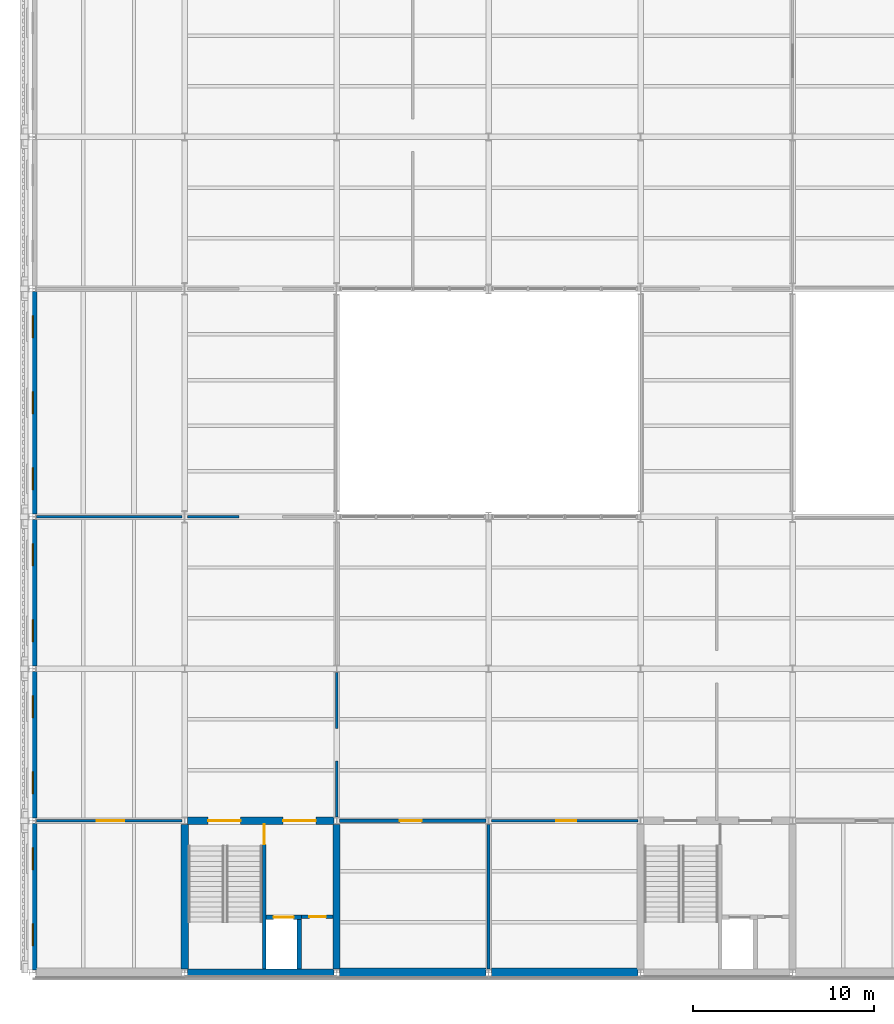
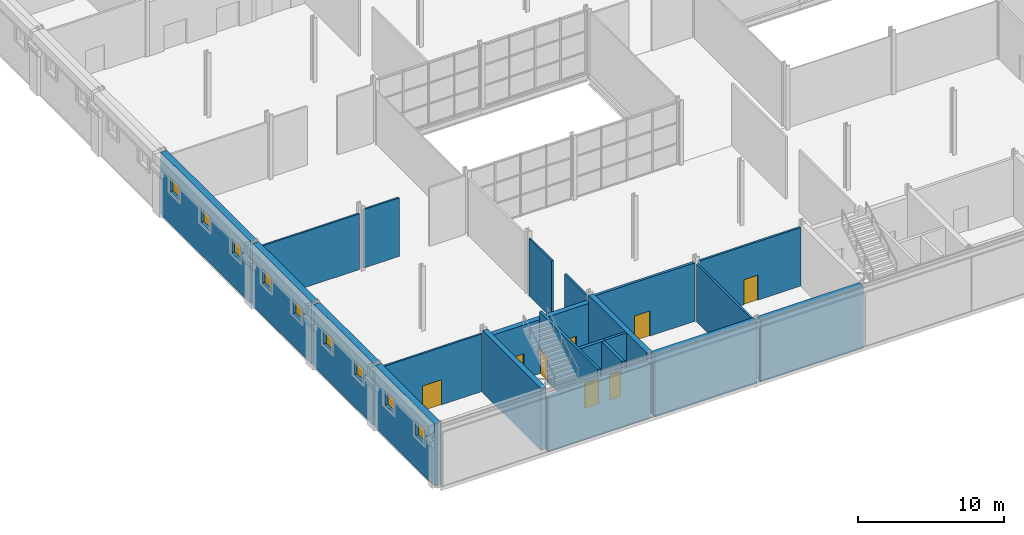
# One storey, part 28 of 57: 22 walls, 9 windows, 8 doors, 17 openings.
"""IFC4 building model written with IfcOpenShell, lengths in metres."""

from ifc_helpers import new_model, si_unit, direction, frame, frame_2d, origin, place, context, subcontext, project, spatial, rectangle, extrude, material, layer, layer_set, type_object, element, fill, save


model = new_model("IFC4")

# Units and contexts
model_context = context("Model", 3, precision=1e-05, world=origin(), true_north=direction((0.0, 1.0)))
body_context = subcontext(model_context, "Body", "Model", "MODEL_VIEW")
ifc_project = project(units=[si_unit("LENGTHUNIT", "METRE"), si_unit("AREAUNIT", "SQUARE_METRE"), si_unit("VOLUMEUNIT", "CUBIC_METRE"), si_unit("PLANEANGLEUNIT", "RADIAN"), si_unit("MASSUNIT", "GRAM", prefix="KILO")], contexts=[model_context])

# Site, building, storey
site_placement = place(None, origin())
site = spatial("IfcSite", under=ifc_project, at=site_placement, CompositionType="ELEMENT")
building_placement = place(site_placement, origin())
building = spatial("IfcBuilding", under=site, at=building_placement, Name="Galleria Vessillo Department Store", CompositionType="ELEMENT")
storey_placement = place(building_placement, frame((0.0, 0.0, 25.800048828125)))
storey = spatial("IfcBuildingStorey", under=building, at=storey_placement, Name="L05", CompositionType="ELEMENT", Elevation=25.800048828125)

# Wall
ifc_material_1 = material(Name="Insulated steel panel", Category="steel")
ifc_layer_1 = layer(ifc_material_1, 0.159912109375)
ifc_layer_set_1 = layer_set([ifc_layer_1], Name="Insulated steel panel")
wall_type_1 = type_object("IfcWallType", Name="Cold store insulated panel wall 160 mm", PredefinedType="PARTITIONING", material=ifc_layer_set_1)
wall_1_placement = place(storey_placement, frame((25.199951171875, 0.199951171875, 0.0), z_axis=(0.0, 0.0, 1.0), x_axis=(0.0, 1.0, 0.0)))
element("IfcWall", 1, at=wall_1_placement, inside=storey, type_object=wall_type_1, Name="Partition wall PT5 on L05 no. 013", PredefinedType="PARTITIONING", context=body_context, shape_type="SweptSolid", body=[
    extrude(rectangle(XDim=8.0, YDim=0.159912109375, at=frame_2d((4.0, 0.0))), origin(), (0.0, 0.0, 1.0), 4.809814453125),
])

# Wall, opening, door
wall_2_placement = place(storey_placement, frame((25.349853515625, 8.39990234375, 0.0), z_axis=(0.0, 0.0, 1.0), x_axis=(1.0, 0.0, 0.0)))
wall_2 = element("IfcWall", 2, at=wall_2_placement, inside=storey, type_object=wall_type_1, Name="Partition wall PT5 on L05 no. 015", PredefinedType="PARTITIONING", context=body_context, shape_type="SweptSolid", body=[
    extrude(rectangle(XDim=8.100341796875, YDim=0.159912109375, at=frame_2d((4.05029296875, 0.0))), origin(), (0.0, 0.0, 1.0), 4.889892578125),
])
opening_1_placement = place(wall_2_placement, frame((3.60009765625, 0.0, 0.0)))
opening_1 = element("IfcOpeningElement", 3, at=opening_1_placement, cuts=wall_2, Name="Opening D2708", PredefinedType="OPENING", context=body_context, shape_type="SweptSolid", body=[
    extrude(rectangle(XDim=1.10009765625, YDim=2.10009765625, at=frame_2d((0.550048828125, 1.050048828125))), frame((0.0, 0.08984375, 0.0), z_axis=(0.0, -1.0, 0.0), x_axis=(1.0, 0.0, 0.0)), (0.0, 0.0, 1.0), 0.179931640625),
])
ifc_material_2 = material(Name="Steel fire door leaf", Category="steel")
door_type_1 = type_object("IfcDoorType", Name="Cold store insulated fire door 1100", OperationType="SINGLE_SWING_LEFT", PredefinedType="DOOR", material=ifc_material_2)
door_1_placement = place(opening_1_placement, frame((1.10009765625, 0.0, 0.0), z_axis=(0.0, 0.0, 1.0), x_axis=(-1.0, 0.0, 0.0)))
door_1 = element("IfcDoor", 4, at=door_1_placement, inside=storey, type_object=door_type_1, Name="Door D2708", OperationType="SINGLE_SWING_LEFT", OverallHeight=2.10009765625, OverallWidth=1.10009765625, PredefinedType="DOOR", context=body_context, shape_type="SweptSolid", body=[
    extrude(rectangle(XDim=1.10009765625, YDim=2.10009765625, at=frame_2d((0.550048828125, 1.050048828125))), frame((0.0, 0.02490234375, 0.0), z_axis=(0.0, -1.0, 0.0), x_axis=(1.0, 0.0, 0.0)), (0.0, 0.0, 1.0), 0.050048828125),
])
fill(opening_1, door_1)

ifc_material_3 = material(Name="Concrete blockwork", Category="masonry")
ifc_layer_2 = layer(ifc_material_3, 0.199951171875)
ifc_layer_set_2 = layer_set([ifc_layer_2], Name="Concrete blockwork")
wall_type_2 = type_object("IfcWallType", Name="Kitchen blockwork wall 200 mm", PredefinedType="SOLIDWALL", material=ifc_layer_set_2)
wall_3_placement = place(storey_placement, frame((16.949951171875, 8.39990234375, 0.0), z_axis=(0.0, 0.0, 1.0), x_axis=(1.0, 0.0, 0.0)))
wall_3 = element("IfcWall", 5, at=wall_3_placement, inside=storey, type_object=wall_type_2, Name="Partition wall PT8 on L05 no. 014", PredefinedType="SOLIDWALL", context=body_context, shape_type="SweptSolid", body=[
    extrude(rectangle(XDim=8.10009765625, YDim=0.199951171875, at=frame_2d((4.050048828125, 0.0))), origin(), (0.0, 0.0, 1.0), 4.889892578125),
])
opening_2_placement = place(wall_3_placement, frame((3.35009765625, 0.0, 0.0)))
opening_2 = element("IfcOpeningElement", 6, at=opening_2_placement, cuts=wall_3, Name="Opening D2707", PredefinedType="OPENING", context=body_context, shape_type="SweptSolid", body=[
    extrude(rectangle(XDim=1.199951171875, YDim=2.10009765625, at=frame_2d((0.60009765625, 1.050048828125))), frame((0.0, 0.10986328125, 0.0), z_axis=(0.0, -1.0, 0.0), x_axis=(1.0, 0.0, 0.0)), (0.0, 0.0, 1.0), 0.219970703125),
])
ifc_material_4 = material(Name="Steel fire door leaf", Category="steel")
door_type_2 = type_object("IfcDoorType", Name="Kitchen fire door 1200", OperationType="SINGLE_SWING_LEFT", PredefinedType="DOOR", material=ifc_material_4)
door_2_placement = place(opening_2_placement, frame((1.199951171875, 0.0, 0.0), z_axis=(0.0, 0.0, 1.0), x_axis=(-1.0, 0.0, 0.0)))
door_2 = element("IfcDoor", 7, at=door_2_placement, inside=storey, type_object=door_type_2, Name="Door D2707", OperationType="SINGLE_SWING_RIGHT", OverallHeight=2.10009765625, OverallWidth=1.199951171875, PredefinedType="DOOR", context=body_context, shape_type="SweptSolid", body=[
    extrude(rectangle(XDim=1.199951171875, YDim=2.10009765625, at=frame_2d((0.60009765625, 1.050048828125))), frame((0.0, 0.02490234375, 0.0), z_axis=(0.0, -1.0, 0.0), x_axis=(1.0, 0.0, 0.0)), (0.0, 0.0, 1.0), 0.050048828125),
])
fill(opening_2, door_2)

ifc_material_5 = material(Name="Solid clay block masonry", Category="masonry")
ifc_layer_3 = layer(ifc_material_5, 0.25)
ifc_layer_set_3 = layer_set([ifc_layer_3], Name="Solid clay block masonry")
wall_type_3 = type_object("IfcWallType", Name="Lift shaft wall 250 mm", PredefinedType="SOLIDWALL", material=ifc_layer_set_3)
wall_4_placement = place(storey_placement, frame((12.89990234375, 3.074951171875, 0.0), z_axis=(0.0, 0.0, 1.0), x_axis=(1.0, 0.0, 0.0)))
wall_4 = element("IfcWall", 8, at=wall_4_placement, inside=storey, type_object=wall_type_3, Name="Lift shaft wall LP1 landing side L05", PredefinedType="SOLIDWALL", context=body_context, shape_type="SweptSolid", body=[
    extrude(rectangle(XDim=1.9501953125, YDim=0.25, at=frame_2d((0.97509765625, 0.0))), origin(), (0.0, 0.0, 1.0), 5.199951171875),
])
opening_3_placement = place(wall_4_placement, frame((0.425048828125, 0.0, 0.0)))
opening_3 = element("IfcOpeningElement", 9, at=opening_3_placement, cuts=wall_4, Name="Opening LD008", PredefinedType="OPENING", context=body_context, shape_type="SweptSolid", body=[
    extrude(rectangle(XDim=1.10009765625, YDim=2.10009765625, at=frame_2d((0.550048828125, 1.050048828125))), frame((0.0, 0.135009765625, 0.0), z_axis=(0.0, -1.0, 0.0), x_axis=(1.0, 0.0, 0.0)), (0.0, 0.0, 1.0), 0.27001953125),
])
ifc_material_6 = material(Name="Stainless steel lift door panel", Category="steel")
door_type_3 = type_object("IfcDoorType", Name="Lift landing door LD110 sliding 1100 x 2100", OperationType="SLIDING_TO_LEFT", PredefinedType="DOOR", material=ifc_material_6)
door_3_placement = place(opening_3_placement, origin())
door_3 = element("IfcDoor", 10, at=door_3_placement, inside=storey, type_object=door_type_3, Name="Lift landing door LP1 L05", OperationType="SLIDING_TO_LEFT", OverallHeight=2.10009765625, OverallWidth=1.10009765625, PredefinedType="DOOR", context=body_context, shape_type="SweptSolid", body=[
    extrude(rectangle(XDim=1.10009765625, YDim=2.10009765625, at=frame_2d((0.550048828125, 1.050048828125))), frame((0.0, 0.02490234375, 0.0), z_axis=(0.0, -1.0, 0.0), x_axis=(1.0, 0.0, 0.0)), (0.0, 0.0, 1.0), 0.050048828125),
])
fill(opening_3, door_3)

# Wall
wall_5_placement = place(storey_placement, frame((14.72509765625, 0.199951171875, 0.0), z_axis=(0.0, 0.0, 1.0), x_axis=(0.0, 1.0, 0.0)))
element("IfcWall", 11, at=wall_5_placement, inside=storey, type_object=wall_type_3, Name="Lift shaft wall LP1 L05", PredefinedType="SOLIDWALL", context=body_context, shape_type="SweptSolid", body=[
    extrude(rectangle(XDim=2.75, YDim=0.25, at=frame_2d((1.375, 0.0))), origin(), (0.0, 0.0, 1.0), 5.199951171875),
])

# Wall, openings, windows
ifc_material_7 = material(Name="Reinforced masonry, limestone units 80 MPa", Category="masonry")
ifc_layer_4 = layer(ifc_material_7, 0.5)
ifc_layer_set_4 = layer_set([ifc_layer_4], Name="Reinforced masonry, limestone units 80 MPa")
wall_type_4 = type_object("IfcWallType", Name="Load-bearing limestone-faced wall 500 mm", PredefinedType="STANDARD", material=ifc_layer_set_4)
wall_6_placement = place(storey_placement, frame((0.0, 0.14990234375, 0.0), z_axis=(0.0, 0.0, 1.0), x_axis=(0.0, 1.0, 0.0)))
wall_6 = element("IfcWall", 12, at=wall_6_placement, inside=storey, type_object=wall_type_4, Name="Load-bearing limestone-faced wall 500 mm SW-L05-01", PredefinedType="STANDARD", context=body_context, shape_type="SweptSolid", body=[
    extrude(rectangle(XDim=8.10009765625, YDim=0.5, at=frame_2d((4.050048828125, 0.0))), origin(), (0.0, 0.0, 1.0), 5.199951171875),
])
opening_4_placement = place(wall_6_placement, frame((1.35009765625, 0.0, 2.699951171875)))
opening_4 = element("IfcOpeningElement", 13, at=opening_4_placement, cuts=wall_6, Name="Opening W065", PredefinedType="OPENING", context=body_context, shape_type="SweptSolid", body=[
    extrude(rectangle(XDim=1.199951171875, YDim=1.199951171875, at=frame_2d((0.60009765625, 0.60009765625))), frame((0.0, 0.260009765625, 0.0), z_axis=(0.0, -1.0, 0.0), x_axis=(1.0, 0.0, 0.0)), (0.0, 0.0, 1.0), 0.52001953125),
])
opening_5_placement = place(wall_6_placement, frame((5.550048828125, 0.0, 2.699951171875)))
opening_5 = element("IfcOpeningElement", 14, at=opening_5_placement, cuts=wall_6, Name="Opening W066", PredefinedType="OPENING", context=body_context, shape_type="SweptSolid", body=[
    extrude(rectangle(XDim=1.199951171875, YDim=1.199951171875, at=frame_2d((0.60009765625, 0.60009765625))), frame((0.0, 0.260009765625, 0.0), z_axis=(0.0, -1.0, 0.0), x_axis=(1.0, 0.0, 0.0)), (0.0, 0.0, 1.0), 0.52001953125),
])
ifc_material_8 = material(Name="Aluminium frame with laminated glass 44.2", Category="aluminium")
window_type = type_object("IfcWindowType", Name="Attic window 1200 x 1200", PartitioningType="SINGLE_PANEL", PredefinedType="WINDOW", material=ifc_material_8)
window_1_placement = place(opening_4_placement, origin())
window_1 = element("IfcWindow", 15, at=window_1_placement, inside=storey, type_object=window_type, Name="E-WIN-SW-L05-01-065", OverallHeight=1.199951171875, OverallWidth=1.199951171875, PartitioningType="SINGLE_PANEL", PredefinedType="WINDOW", context=body_context, shape_type="SweptSolid", body=[
    extrude(rectangle(XDim=1.199951171875, YDim=1.199951171875, at=frame_2d((0.60009765625, 0.60009765625))), frame((0.0, 0.030029296875, 0.0), z_axis=(0.0, -1.0, 0.0), x_axis=(1.0, 0.0, 0.0)), (0.0, 0.0, 1.0), 0.06005859375),
])
fill(opening_4, window_1)
window_2_placement = place(opening_5_placement, origin())
window_2 = element("IfcWindow", 16, at=window_2_placement, inside=storey, type_object=window_type, Name="E-WIN-SW-L05-01-066", OverallHeight=1.199951171875, OverallWidth=1.199951171875, PartitioningType="SINGLE_PANEL", PredefinedType="WINDOW", context=body_context, shape_type="SweptSolid", body=[
    extrude(rectangle(XDim=1.199951171875, YDim=1.199951171875, at=frame_2d((0.60009765625, 0.60009765625))), frame((0.0, 0.030029296875, 0.0), z_axis=(0.0, -1.0, 0.0), x_axis=(1.0, 0.0, 0.0)), (0.0, 0.0, 1.0), 0.06005859375),
])
fill(opening_5, window_2)

wall_7_placement = place(storey_placement, frame((0.0, 8.5498046875, 0.0), z_axis=(0.0, 0.0, 1.0), x_axis=(0.0, 1.0, 0.0)))
wall_7 = element("IfcWall", 17, at=wall_7_placement, inside=storey, type_object=wall_type_4, Name="Load-bearing limestone-faced wall 500 mm SW-L05-02", PredefinedType="STANDARD", context=body_context, shape_type="SweptSolid", body=[
    extrude(rectangle(XDim=8.100341796875, YDim=0.5, at=frame_2d((4.05029296875, 0.0))), origin(), (0.0, 0.0, 1.0), 5.199951171875),
])
opening_6_placement = place(wall_7_placement, frame((1.35009765625, 0.0, 2.699951171875)))
opening_6 = element("IfcOpeningElement", 18, at=opening_6_placement, cuts=wall_7, Name="Opening W067", PredefinedType="OPENING", context=body_context, shape_type="SweptSolid", body=[
    extrude(rectangle(XDim=1.199951171875, YDim=1.199951171875, at=frame_2d((0.60009765625, 0.60009765625))), frame((0.0, 0.260009765625, 0.0), z_axis=(0.0, -1.0, 0.0), x_axis=(1.0, 0.0, 0.0)), (0.0, 0.0, 1.0), 0.52001953125),
])
opening_7_placement = place(wall_7_placement, frame((5.55029296875, 0.0, 2.699951171875)))
opening_7 = element("IfcOpeningElement", 19, at=opening_7_placement, cuts=wall_7, Name="Opening W068", PredefinedType="OPENING", context=body_context, shape_type="SweptSolid", body=[
    extrude(rectangle(XDim=1.199951171875, YDim=1.199951171875, at=frame_2d((0.60009765625, 0.60009765625))), frame((0.0, 0.260009765625, 0.0), z_axis=(0.0, -1.0, 0.0), x_axis=(1.0, 0.0, 0.0)), (0.0, 0.0, 1.0), 0.52001953125),
])
window_3_placement = place(opening_6_placement, origin())
window_3 = element("IfcWindow", 20, at=window_3_placement, inside=storey, type_object=window_type, Name="E-WIN-SW-L05-02-067", OverallHeight=1.199951171875, OverallWidth=1.199951171875, PartitioningType="SINGLE_PANEL", PredefinedType="WINDOW", context=body_context, shape_type="SweptSolid", body=[
    extrude(rectangle(XDim=1.199951171875, YDim=1.199951171875, at=frame_2d((0.60009765625, 0.60009765625))), frame((0.0, 0.030029296875, 0.0), z_axis=(0.0, -1.0, 0.0), x_axis=(1.0, 0.0, 0.0)), (0.0, 0.0, 1.0), 0.06005859375),
])
fill(opening_6, window_3)
window_4_placement = place(opening_7_placement, origin())
window_4 = element("IfcWindow", 21, at=window_4_placement, inside=storey, type_object=window_type, Name="E-WIN-SW-L05-02-068", OverallHeight=1.199951171875, OverallWidth=1.199951171875, PartitioningType="SINGLE_PANEL", PredefinedType="WINDOW", context=body_context, shape_type="SweptSolid", body=[
    extrude(rectangle(XDim=1.199951171875, YDim=1.199951171875, at=frame_2d((0.60009765625, 0.60009765625))), frame((0.0, 0.030029296875, 0.0), z_axis=(0.0, -1.0, 0.0), x_axis=(1.0, 0.0, 0.0)), (0.0, 0.0, 1.0), 0.06005859375),
])
fill(opening_7, window_4)

wall_8_placement = place(storey_placement, frame((0.0, 16.949951171875, 0.0), z_axis=(0.0, 0.0, 1.0), x_axis=(0.0, 1.0, 0.0)))
wall_8 = element("IfcWall", 22, at=wall_8_placement, inside=storey, type_object=wall_type_4, Name="Load-bearing limestone-faced wall 500 mm SW-L05-03", PredefinedType="STANDARD", context=body_context, shape_type="SweptSolid", body=[
    extrude(rectangle(XDim=8.10009765625, YDim=0.5, at=frame_2d((4.050048828125, 0.0))), origin(), (0.0, 0.0, 1.0), 5.199951171875),
])
opening_8_placement = place(wall_8_placement, frame((1.35009765625, 0.0, 2.699951171875)))
opening_8 = element("IfcOpeningElement", 23, at=opening_8_placement, cuts=wall_8, Name="Opening W069", PredefinedType="OPENING", context=body_context, shape_type="SweptSolid", body=[
    extrude(rectangle(XDim=1.199951171875, YDim=1.199951171875, at=frame_2d((0.60009765625, 0.60009765625))), frame((0.0, 0.260009765625, 0.0), z_axis=(0.0, -1.0, 0.0), x_axis=(1.0, 0.0, 0.0)), (0.0, 0.0, 1.0), 0.52001953125),
])
opening_9_placement = place(wall_8_placement, frame((5.550048828125, 0.0, 2.699951171875)))
opening_9 = element("IfcOpeningElement", 24, at=opening_9_placement, cuts=wall_8, Name="Opening W070", PredefinedType="OPENING", context=body_context, shape_type="SweptSolid", body=[
    extrude(rectangle(XDim=1.199951171875, YDim=1.199951171875, at=frame_2d((0.60009765625, 0.60009765625))), frame((0.0, 0.260009765625, 0.0), z_axis=(0.0, -1.0, 0.0), x_axis=(1.0, 0.0, 0.0)), (0.0, 0.0, 1.0), 0.52001953125),
])
window_5_placement = place(opening_8_placement, origin())
window_5 = element("IfcWindow", 25, at=window_5_placement, inside=storey, type_object=window_type, Name="E-WIN-SW-L05-03-069", OverallHeight=1.199951171875, OverallWidth=1.199951171875, PartitioningType="SINGLE_PANEL", PredefinedType="WINDOW", context=body_context, shape_type="SweptSolid", body=[
    extrude(rectangle(XDim=1.199951171875, YDim=1.199951171875, at=frame_2d((0.60009765625, 0.60009765625))), frame((0.0, 0.030029296875, 0.0), z_axis=(0.0, -1.0, 0.0), x_axis=(1.0, 0.0, 0.0)), (0.0, 0.0, 1.0), 0.06005859375),
])
fill(opening_8, window_5)
window_6_placement = place(opening_9_placement, origin())
window_6 = element("IfcWindow", 26, at=window_6_placement, inside=storey, type_object=window_type, Name="E-WIN-SW-L05-03-070", OverallHeight=1.199951171875, OverallWidth=1.199951171875, PartitioningType="SINGLE_PANEL", PredefinedType="WINDOW", context=body_context, shape_type="SweptSolid", body=[
    extrude(rectangle(XDim=1.199951171875, YDim=1.199951171875, at=frame_2d((0.60009765625, 0.60009765625))), frame((0.0, 0.030029296875, 0.0), z_axis=(0.0, -1.0, 0.0), x_axis=(1.0, 0.0, 0.0)), (0.0, 0.0, 1.0), 0.06005859375),
])
fill(opening_9, window_6)

wall_9_placement = place(storey_placement, frame((0.0, 25.349853515625, 0.0), z_axis=(0.0, 0.0, 1.0), x_axis=(0.0, 1.0, 0.0)))
wall_9 = element("IfcWall", 27, at=wall_9_placement, inside=storey, type_object=wall_type_4, Name="Load-bearing limestone-faced wall 500 mm SW-L05-04", PredefinedType="STANDARD", context=body_context, shape_type="SweptSolid", body=[
    extrude(rectangle(XDim=12.30029296875, YDim=0.5, at=frame_2d((6.150146484375, 0.0))), origin(), (0.0, 0.0, 1.0), 5.199951171875),
])
opening_10_placement = place(wall_9_placement, frame((1.35009765625, 0.0, 2.699951171875)))
opening_10 = element("IfcOpeningElement", 28, at=opening_10_placement, cuts=wall_9, Name="Opening W071", PredefinedType="OPENING", context=body_context, shape_type="SweptSolid", body=[
    extrude(rectangle(XDim=1.199951171875, YDim=1.199951171875, at=frame_2d((0.60009765625, 0.60009765625))), frame((0.0, 0.260009765625, 0.0), z_axis=(0.0, -1.0, 0.0), x_axis=(1.0, 0.0, 0.0)), (0.0, 0.0, 1.0), 0.52001953125),
])
opening_11_placement = place(wall_9_placement, frame((5.550048828125, 0.0, 2.699951171875)))
opening_11 = element("IfcOpeningElement", 29, at=opening_11_placement, cuts=wall_9, Name="Opening W072", PredefinedType="OPENING", context=body_context, shape_type="SweptSolid", body=[
    extrude(rectangle(XDim=1.199951171875, YDim=1.199951171875, at=frame_2d((0.60009765625, 0.60009765625))), frame((0.0, 0.260009765625, 0.0), z_axis=(0.0, -1.0, 0.0), x_axis=(1.0, 0.0, 0.0)), (0.0, 0.0, 1.0), 0.52001953125),
])
opening_12_placement = place(wall_9_placement, frame((9.750244140625, 0.0, 2.699951171875)))
opening_12 = element("IfcOpeningElement", 30, at=opening_12_placement, cuts=wall_9, Name="Opening W073", PredefinedType="OPENING", context=body_context, shape_type="SweptSolid", body=[
    extrude(rectangle(XDim=1.199951171875, YDim=1.199951171875, at=frame_2d((0.60009765625, 0.60009765625))), frame((0.0, 0.260009765625, 0.0), z_axis=(0.0, -1.0, 0.0), x_axis=(1.0, 0.0, 0.0)), (0.0, 0.0, 1.0), 0.52001953125),
])
window_7_placement = place(opening_10_placement, origin())
window_7 = element("IfcWindow", 31, at=window_7_placement, inside=storey, type_object=window_type, Name="E-WIN-SW-L05-04-071", OverallHeight=1.199951171875, OverallWidth=1.199951171875, PartitioningType="SINGLE_PANEL", PredefinedType="WINDOW", context=body_context, shape_type="SweptSolid", body=[
    extrude(rectangle(XDim=1.199951171875, YDim=1.199951171875, at=frame_2d((0.60009765625, 0.60009765625))), frame((0.0, 0.030029296875, 0.0), z_axis=(0.0, -1.0, 0.0), x_axis=(1.0, 0.0, 0.0)), (0.0, 0.0, 1.0), 0.06005859375),
])
fill(opening_10, window_7)
window_8_placement = place(opening_11_placement, origin())
window_8 = element("IfcWindow", 32, at=window_8_placement, inside=storey, type_object=window_type, Name="E-WIN-SW-L05-04-072", OverallHeight=1.199951171875, OverallWidth=1.199951171875, PartitioningType="SINGLE_PANEL", PredefinedType="WINDOW", context=body_context, shape_type="SweptSolid", body=[
    extrude(rectangle(XDim=1.199951171875, YDim=1.199951171875, at=frame_2d((0.60009765625, 0.60009765625))), frame((0.0, 0.030029296875, 0.0), z_axis=(0.0, -1.0, 0.0), x_axis=(1.0, 0.0, 0.0)), (0.0, 0.0, 1.0), 0.06005859375),
])
fill(opening_11, window_8)
window_9_placement = place(opening_12_placement, origin())
window_9 = element("IfcWindow", 33, at=window_9_placement, inside=storey, type_object=window_type, Name="E-WIN-SW-L05-04-073", OverallHeight=1.199951171875, OverallWidth=1.199951171875, PartitioningType="SINGLE_PANEL", PredefinedType="WINDOW", context=body_context, shape_type="SweptSolid", body=[
    extrude(rectangle(XDim=1.199951171875, YDim=1.199951171875, at=frame_2d((0.60009765625, 0.60009765625))), frame((0.0, 0.030029296875, 0.0), z_axis=(0.0, -1.0, 0.0), x_axis=(1.0, 0.0, 0.0)), (0.0, 0.0, 1.0), 0.06005859375),
])
fill(opening_12, window_9)

# Wall, openings, doors
ifc_material_9 = material(Name="Concrete C32/40 reinforced", Category="concrete")
ifc_layer_5 = layer(ifc_material_9, 0.39990234375)
ifc_layer_set_5 = layer_set([ifc_layer_5], Name="Concrete C32/40 reinforced")
wall_type_5 = type_object("IfcWallType", Name="Reinforced concrete core wall 400 mm", PredefinedType="SHEAR", material=ifc_layer_set_5)
wall_10_placement = place(storey_placement, frame((8.5498046875, 8.39990234375, 0.0), z_axis=(0.0, 0.0, 1.0), x_axis=(1.0, 0.0, 0.0)))
wall_10 = element("IfcWall", 34, at=wall_10_placement, inside=storey, type_object=wall_type_5, Name="S-CW-PC-SW-INTERIOR-L05", PredefinedType="SHEAR", context=body_context, shape_type="SweptSolid", body=[
    extrude(rectangle(XDim=8.100341796875, YDim=0.39990234375, at=frame_2d((4.05029296875, 0.0))), origin(), (0.0, 0.0, 1.0), 4.510009765625),
])
opening_13_placement = place(wall_10_placement, frame((1.150146484375, 0.0, 0.0)))
opening_13 = element("IfcOpeningElement", 35, at=opening_13_placement, cuts=wall_10, Name="Opening D5031", PredefinedType="OPENING", context=body_context, shape_type="SweptSolid", body=[
    extrude(rectangle(XDim=1.800048828125, YDim=2.10009765625, at=frame_2d((0.89990234375, 1.050048828125))), frame((0.0, 0.2099609375, 0.0), z_axis=(0.0, -1.0, 0.0), x_axis=(1.0, 0.0, 0.0)), (0.0, 0.0, 1.0), 0.419921875),
])
opening_14_placement = place(wall_10_placement, frame((5.300048828125, 0.0, 0.0)))
opening_14 = element("IfcOpeningElement", 36, at=opening_14_placement, cuts=wall_10, Name="Opening D5032", PredefinedType="OPENING", context=body_context, shape_type="SweptSolid", body=[
    extrude(rectangle(XDim=1.800048828125, YDim=2.10009765625, at=frame_2d((0.89990234375, 1.050048828125))), frame((0.0, 0.2099609375, 0.0), z_axis=(0.0, -1.0, 0.0), x_axis=(1.0, 0.0, 0.0)), (0.0, 0.0, 1.0), 0.419921875),
])
ifc_material_10 = material(Name="Fire-rated steel door leaf", Category="steel")
door_type_4 = type_object("IfcDoorType", Name="Door D180F double leaf 1800 x 2100", OperationType="DOUBLE_DOOR_SINGLE_SWING", PredefinedType="DOOR", material=ifc_material_10)
door_4_placement = place(opening_13_placement, frame((1.800048828125, 0.0, 0.0), z_axis=(0.0, 0.0, 1.0), x_axis=(-1.0, 0.0, 0.0)))
door_4 = element("IfcDoor", 37, at=door_4_placement, inside=storey, type_object=door_type_4, Name="Lobby door PC-SW-ST-FLOOR L05", OperationType="DOUBLE_DOOR_SINGLE_SWING", OverallHeight=2.10009765625, OverallWidth=1.800048828125, PredefinedType="DOOR", context=body_context, shape_type="SweptSolid", body=[
    extrude(rectangle(XDim=1.800048828125, YDim=2.10009765625, at=frame_2d((0.89990234375, 1.050048828125))), frame((0.0, 0.02490234375, 0.0), z_axis=(0.0, -1.0, 0.0), x_axis=(1.0, 0.0, 0.0)), (0.0, 0.0, 1.0), 0.050048828125),
])
fill(opening_13, door_4)
door_5_placement = place(opening_14_placement, frame((1.800048828125, 0.0, 0.0), z_axis=(0.0, 0.0, 1.0), x_axis=(-1.0, 0.0, 0.0)))
door_5 = element("IfcDoor", 38, at=door_5_placement, inside=storey, type_object=door_type_4, Name="Lobby door PC-SW-LOBBY-FLOOR L05", OperationType="DOUBLE_DOOR_SINGLE_SWING", OverallHeight=2.10009765625, OverallWidth=1.800048828125, PredefinedType="DOOR", context=body_context, shape_type="SweptSolid", body=[
    extrude(rectangle(XDim=1.800048828125, YDim=2.10009765625, at=frame_2d((0.89990234375, 1.050048828125))), frame((0.0, 0.02490234375, 0.0), z_axis=(0.0, -1.0, 0.0), x_axis=(1.0, 0.0, 0.0)), (0.0, 0.0, 1.0), 0.050048828125),
])
fill(opening_14, door_5)

# Walls
wall_11_placement = place(storey_placement, frame((16.800048828125, 0.199951171875, 0.0), z_axis=(0.0, 0.0, 1.0), x_axis=(0.0, 1.0, 0.0)))
element("IfcWall", 39, at=wall_11_placement, inside=storey, type_object=wall_type_5, Name="S-CW-PC-SW-EAST-L05", PredefinedType="SHEAR", context=body_context, shape_type="SweptSolid", body=[
    extrude(rectangle(XDim=8.0, YDim=0.39990234375, at=frame_2d((4.0, 0.0))), origin(), (0.0, 0.0, 1.0), 5.199951171875),
])
ifc_material_11 = material(Name="Concrete C32/40 reinforced", Category="concrete")
ifc_layer_6 = layer(ifc_material_11, 0.39990234375)
ifc_layer_set_6 = layer_set([ifc_layer_6], Name="Concrete C32/40 reinforced")
wall_type_6 = type_object("IfcWallType", Name="Reinforced concrete core wall 400 mm, external", PredefinedType="SHEAR", material=ifc_layer_set_6)
wall_12_placement = place(storey_placement, frame((8.5498046875, 0.0, 0.0), z_axis=(0.0, 0.0, 1.0), x_axis=(1.0, 0.0, 0.0)))
element("IfcWall", 40, at=wall_12_placement, inside=storey, type_object=wall_type_6, Name="S-CW-PC-SW-PARTY-L05", PredefinedType="SHEAR", context=body_context, shape_type="SweptSolid", body=[
    extrude(rectangle(XDim=8.100341796875, YDim=0.39990234375, at=frame_2d((4.05029296875, 0.0))), origin(), (0.0, 0.0, 1.0), 4.510009765625),
])
wall_13_placement = place(storey_placement, frame((8.39990234375, 0.199951171875, 0.0), z_axis=(0.0, 0.0, 1.0), x_axis=(0.0, 1.0, 0.0)))
element("IfcWall", 41, at=wall_13_placement, inside=storey, type_object=wall_type_6, Name="S-CW-PC-SW-WEST-L05", PredefinedType="SHEAR", context=body_context, shape_type="SweptSolid", body=[
    extrude(rectangle(XDim=8.0, YDim=0.39990234375, at=frame_2d((4.0, 0.0))), origin(), (0.0, 0.0, 1.0), 5.199951171875),
])
ifc_material_12 = material(Name="Concrete C32/40 reinforced", Category="concrete")
ifc_layer_7 = layer(ifc_material_12, 0.5)
ifc_layer_set_7 = layer_set([ifc_layer_7], Name="Concrete C32/40 reinforced")
wall_type_7 = type_object("IfcWallType", Name="Reinforced concrete party wall 500 mm", PredefinedType="SHEAR", material=ifc_layer_set_7)
wall_14_placement = place(storey_placement, frame((16.949951171875, 0.0, 0.0), z_axis=(0.0, 0.0, 1.0), x_axis=(1.0, 0.0, 0.0)))
element("IfcWall", 42, at=wall_14_placement, inside=storey, type_object=wall_type_7, Name="S-PS-L05-02", PredefinedType="SHEAR", context=body_context, shape_type="SweptSolid", body=[
    extrude(rectangle(XDim=8.10009765625, YDim=0.5, at=frame_2d((4.050048828125, 0.0))), origin(), (0.0, 0.0, 1.0), 5.199951171875),
])
wall_15_placement = place(storey_placement, frame((25.349853515625, 0.0, 0.0), z_axis=(0.0, 0.0, 1.0), x_axis=(1.0, 0.0, 0.0)))
element("IfcWall", 43, at=wall_15_placement, inside=storey, type_object=wall_type_7, Name="S-PS-L05-03", PredefinedType="SHEAR", context=body_context, shape_type="SweptSolid", body=[
    extrude(rectangle(XDim=8.100341796875, YDim=0.5, at=frame_2d((4.05029296875, 0.0))), origin(), (0.0, 0.0, 1.0), 5.199951171875),
])

# Wall, opening, door
ifc_material_13 = material(Name="Concrete C32/40 reinforced", Category="concrete")
ifc_layer_8 = layer(ifc_material_13, 0.199951171875)
ifc_layer_set_8 = layer_set([ifc_layer_8], Name="Concrete C32/40 reinforced")
wall_type_8 = type_object("IfcWallType", Name="Reinforced concrete stair enclosure wall 200 mm", PredefinedType="SHEAR", material=ifc_layer_set_8)
wall_16_placement = place(storey_placement, frame((12.7998046875, 0.199951171875, 0.0), z_axis=(0.0, 0.0, 1.0), x_axis=(0.0, 1.0, 0.0)))
wall_16 = element("IfcWall", 44, at=wall_16_placement, inside=storey, type_object=wall_type_8, Name="Stair enclosure wall PC-SW L05", PredefinedType="SHEAR", context=body_context, shape_type="SweptSolid", body=[
    extrude(rectangle(XDim=8.0, YDim=0.199951171875, at=frame_2d((4.0, 0.0))), origin(), (0.0, 0.0, 1.0), 5.199951171875),
])
opening_15_placement = place(wall_16_placement, frame((6.89990234375, 0.0, 0.0)))
opening_15 = element("IfcOpeningElement", 45, at=opening_15_placement, cuts=wall_16, Name="Opening D5029", PredefinedType="OPENING", context=body_context, shape_type="SweptSolid", body=[
    extrude(rectangle(XDim=1.11009765625, YDim=2.10009765625, at=frame_2d((0.554931640625, 1.050048828125))), frame((0.0, 0.10986328125, 0.0), z_axis=(0.0, -1.0, 0.0), x_axis=(1.0, 0.0, 0.0)), (0.0, 0.0, 1.0), 0.219970703125),
])
ifc_material_14 = material(Name="Fire-rated steel door leaf", Category="steel")
door_type_5 = type_object("IfcDoorType", Name="Door D110F stair door 1100 x 2100", OperationType="SINGLE_SWING_LEFT", PredefinedType="DOOR", material=ifc_material_14)
door_6_placement = place(opening_15_placement, origin())
door_6 = element("IfcDoor", 46, at=door_6_placement, inside=storey, type_object=door_type_5, Name="Stair door PC-SW-ST-LOBBY L05", OperationType="SINGLE_SWING_RIGHT", OverallHeight=2.10009765625, OverallWidth=1.10009765625, PredefinedType="DOOR", context=body_context, shape_type="SweptSolid", body=[
    extrude(rectangle(XDim=1.10009765625, YDim=2.10009765625, at=frame_2d((0.550048828125, 1.050048828125))), frame((0.0, 0.02490234375, 0.0), z_axis=(0.0, -1.0, 0.0), x_axis=(1.0, 0.0, 0.0)), (0.0, 0.0, 1.0), 0.050048828125),
])
fill(opening_15, door_6)

ifc_material_15 = material(Name="Hollow clay block masonry", Category="masonry")
ifc_layer_9 = layer(ifc_material_15, 0.199951171875)
ifc_layer_set_9 = layer_set([ifc_layer_9], Name="Hollow clay block masonry")
wall_type_9 = type_object("IfcWallType", Name="Riser and service room wall 200 mm", PredefinedType="PARTITIONING", material=ifc_layer_set_9)
wall_17_placement = place(storey_placement, frame((14.85009765625, 3.099853515625, 0.0), z_axis=(0.0, 0.0, 1.0), x_axis=(1.0, 0.0, 0.0)))
wall_17 = element("IfcWall", 47, at=wall_17_placement, inside=storey, type_object=wall_type_9, Name="Riser wall PC-SW-RISER L05", PredefinedType="PARTITIONING", context=body_context, shape_type="SweptSolid", body=[
    extrude(rectangle(XDim=1.75, YDim=0.199951171875, at=frame_2d((0.875, 0.0))), origin(), (0.0, 0.0, 1.0), 5.199951171875),
])
opening_16_placement = place(wall_17_placement, frame((0.449951171875, 0.0, 0.0)))
opening_16 = element("IfcOpeningElement", 48, at=opening_16_placement, cuts=wall_17, Name="Opening D5030", PredefinedType="OPENING", context=body_context, shape_type="SweptSolid", body=[
    extrude(rectangle(XDim=0.89990234375, YDim=2.10009765625, at=frame_2d((0.449951171875, 1.050048828125))), frame((0.0, 0.10986328125, 0.0), z_axis=(0.0, -1.0, 0.0), x_axis=(1.0, 0.0, 0.0)), (0.0, 0.0, 1.0), 0.219970703125),
])
ifc_material_16 = material(Name="Fire-rated steel door leaf", Category="steel")
door_type_6 = type_object("IfcDoorType", Name="Door DR90 riser access 900 x 2100", OperationType="SINGLE_SWING_LEFT", PredefinedType="DOOR", material=ifc_material_16)
door_7_placement = place(opening_16_placement, frame((0.89990234375, 0.0, 0.0), z_axis=(0.0, 0.0, 1.0), x_axis=(-1.0, 0.0, 0.0)))
door_7 = element("IfcDoor", 49, at=door_7_placement, inside=storey, type_object=door_type_6, Name="Riser door PC-SW-RISER-D L05", OperationType="SINGLE_SWING_LEFT", OverallHeight=2.10009765625, OverallWidth=0.89990234375, PredefinedType="DOOR", context=body_context, shape_type="SweptSolid", body=[
    extrude(rectangle(XDim=0.89990234375, YDim=2.10009765625, at=frame_2d((0.449951171875, 1.050048828125))), frame((0.0, 0.02490234375, 0.0), z_axis=(0.0, -1.0, 0.0), x_axis=(1.0, 0.0, 0.0)), (0.0, 0.0, 1.0), 0.050048828125),
])
fill(opening_16, door_7)

# Walls
ifc_material_17 = material(Name="Gypsum board partition")
ifc_layer_10 = layer(ifc_material_17, 0.139892578125)
ifc_layer_set_10 = layer_set([ifc_layer_10], Name="Gypsum board partition")
wall_type_10 = type_object("IfcWallType", Name="Sales dividing wall 140 mm", PredefinedType="PARTITIONING", material=ifc_layer_set_10)
for number, where, z_axis, x_axis, name in (
    (50, (16.800048828125, 8.599853515625, 0.0), (0.0, 0.0, 1.0), (0.0, 1.0, 0.0), "Partition wall PT3 on L05 no. 037"),
    (51, (16.800048828125, 13.5, 0.0), (0.0, 0.0, 1.0), (0.0, 1.0, 0.0), "Partition wall PT3 on L05 no. 038"),
):
    element("IfcWall", number, at=place(storey_placement, frame(where, z_axis=z_axis, x_axis=x_axis)), inside=storey, type_object=wall_type_10, Name=name, PredefinedType="PARTITIONING", context=body_context, shape_type="SweptSolid", body=[
        extrude(rectangle(XDim=3.10009765625, YDim=0.139892578125, at=frame_2d((1.550048828125, 0.0))), origin(), (0.0, 0.0, 1.0), 4.809814453125),
    ])
wall_18_placement = place(storey_placement, frame((0.199951171875, 25.199951171875, 0.0), z_axis=(0.0, 0.0, 1.0), x_axis=(1.0, 0.0, 0.0)))
element("IfcWall", 52, at=wall_18_placement, inside=storey, type_object=wall_type_10, Name="Partition wall PT3 on L05 no. 040", PredefinedType="PARTITIONING", context=body_context, shape_type="SweptSolid", body=[
    extrude(rectangle(XDim=8.04736328125, YDim=0.139892578125, at=frame_2d((4.023681640625, 0.0))), origin(), (0.0, 0.0, 1.0), 4.659912109375),
])
wall_19_placement = place(storey_placement, frame((8.552490234375, 25.199951171875, 0.0), z_axis=(0.0, 0.0, 1.0), x_axis=(1.0, 0.0, 0.0)))
element("IfcWall", 53, at=wall_19_placement, inside=storey, type_object=wall_type_10, Name="Partition wall PT3 on L05 no. 041", PredefinedType="PARTITIONING", context=body_context, shape_type="SweptSolid", body=[
    extrude(rectangle(XDim=2.849853515625, YDim=0.139892578125, at=frame_2d((1.4248046875, 0.0))), origin(), (0.0, 0.0, 1.0), 4.889892578125),
])

# Wall, opening, door
ifc_material_18 = material(Name="Concrete blockwork", Category="masonry")
ifc_layer_11 = layer(ifc_material_18, 0.14990234375)
ifc_layer_set_11 = layer_set([ifc_layer_11], Name="Concrete blockwork")
wall_type_11 = type_object("IfcWallType", Name="Stockroom blockwork wall 150 mm", PredefinedType="SOLIDWALL", material=ifc_layer_set_11)
wall_20_placement = place(storey_placement, frame((0.199951171875, 8.39990234375, 0.0), z_axis=(0.0, 0.0, 1.0), x_axis=(1.0, 0.0, 0.0)))
wall_20 = element("IfcWall", 54, at=wall_20_placement, inside=storey, type_object=wall_type_11, Name="Partition wall PT4 on L05 no. 024", PredefinedType="SOLIDWALL", context=body_context, shape_type="SweptSolid", body=[
    extrude(rectangle(XDim=8.050048828125, YDim=0.14990234375, at=frame_2d((4.02490234375, 0.0))), origin(), (0.0, 0.0, 1.0), 4.809814453125),
])
opening_17_placement = place(wall_20_placement, frame((3.35009765625, 0.0, 0.0)))
opening_17 = element("IfcOpeningElement", 55, at=opening_17_placement, cuts=wall_20, Name="Opening D2715", PredefinedType="OPENING", context=body_context, shape_type="SweptSolid", body=[
    extrude(rectangle(XDim=1.5, YDim=2.10009765625, at=frame_2d((0.75, 1.050048828125))), frame((0.0, 0.0849609375, 0.0), z_axis=(0.0, -1.0, 0.0), x_axis=(1.0, 0.0, 0.0)), (0.0, 0.0, 1.0), 0.169921875),
])
ifc_material_19 = material(Name="Steel fire door leaf", Category="steel")
door_type_7 = type_object("IfcDoorType", Name="Stockroom fire door 1500 double leaf", OperationType="DOUBLE_DOOR_SINGLE_SWING", PredefinedType="DOOR", material=ifc_material_19)
door_8_placement = place(opening_17_placement, frame((1.5, 0.0, 0.0), z_axis=(0.0, 0.0, 1.0), x_axis=(-1.0, 0.0, 0.0)))
door_8 = element("IfcDoor", 56, at=door_8_placement, inside=storey, type_object=door_type_7, Name="Door D2715", OperationType="DOUBLE_DOOR_SINGLE_SWING", OverallHeight=2.10009765625, OverallWidth=1.5, PredefinedType="DOOR", context=body_context, shape_type="SweptSolid", body=[
    extrude(rectangle(XDim=1.5, YDim=2.10009765625, at=frame_2d((0.75, 1.050048828125))), frame((0.0, 0.02490234375, 0.0), z_axis=(0.0, -1.0, 0.0), x_axis=(1.0, 0.0, 0.0)), (0.0, 0.0, 1.0), 0.050048828125),
])
fill(opening_17, door_8)

save(model, "model.ifc")
